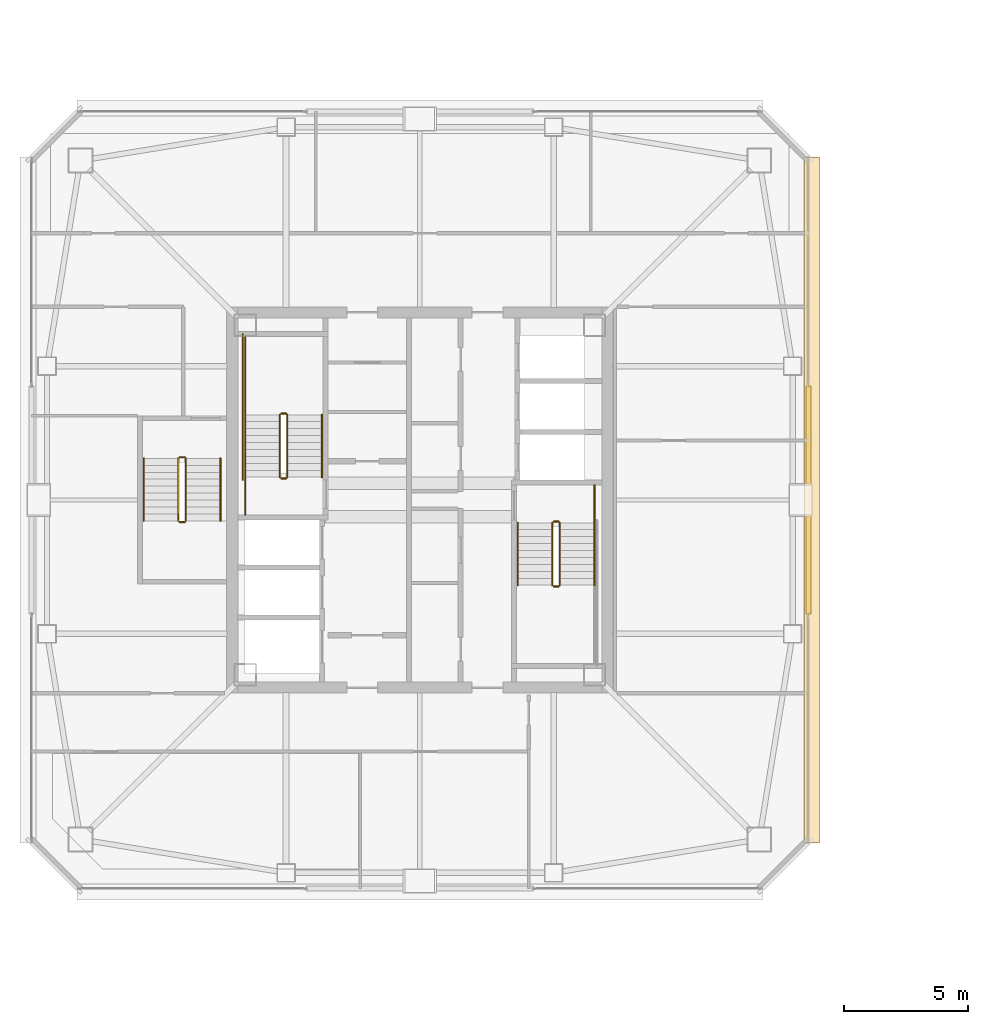
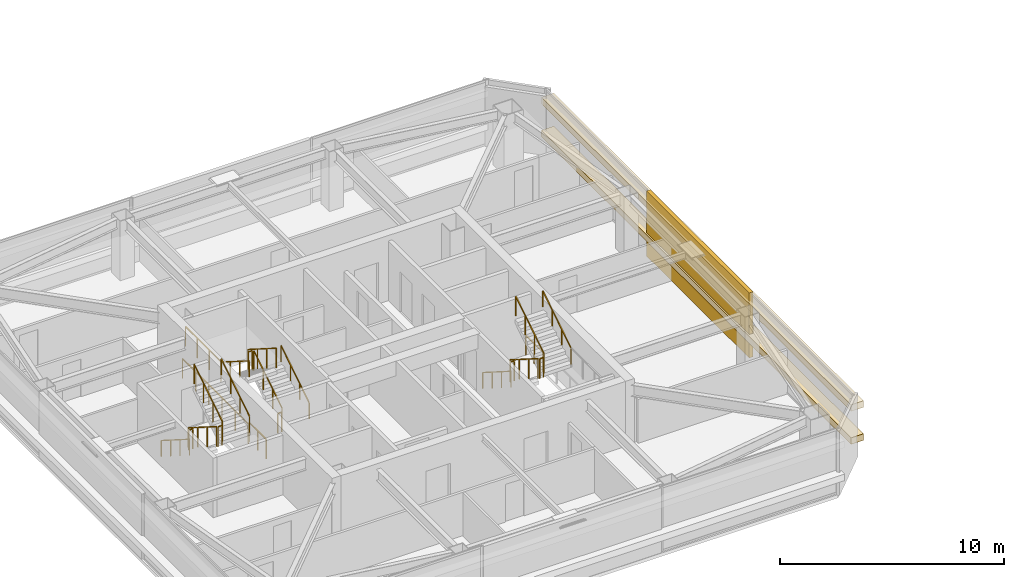
# One storey, part 35 of 39: 22 railings, 3 coverings.
"""IFC4 building model written with IfcOpenShell, lengths in metres."""

from ifc_helpers import new_model, si_unit, direction, frame, origin, origin_2d, place, context, subcontext, project, spatial, rectangle, extrude, material, layer, layer_set, type_object, element, save


model = new_model("IFC4")

# Units and contexts
model_context = context("Model", 3, precision=1e-05, world=origin(), true_north=direction((0.0, 1.0)))
body_context = subcontext(model_context, "Body", "Model", "MODEL_VIEW")
ifc_project = project(units=[si_unit("LENGTHUNIT", "METRE"), si_unit("AREAUNIT", "SQUARE_METRE"), si_unit("VOLUMEUNIT", "CUBIC_METRE"), si_unit("PLANEANGLEUNIT", "RADIAN"), si_unit("MASSUNIT", "GRAM", prefix="KILO")], contexts=[model_context])

# Site, building, storey
site_placement = place(None, origin())
site = spatial("IfcSite", under=ifc_project, at=site_placement, CompositionType="ELEMENT")
building_placement = place(site_placement, origin())
building = spatial("IfcBuilding", under=site, at=building_placement, Name="Tashvorn Skyway Center", CompositionType="ELEMENT")
storey_placement = place(building_placement, frame((0.0, 0.0, 243.25)))
storey = spatial("IfcBuildingStorey", under=building, at=storey_placement, Name="L66", CompositionType="ELEMENT", Elevation=243.25)

# Coverings
ifc_material_1 = material(Name="Precast concrete C40/50", Category="concrete")
ifc_layer_1 = layer(ifc_material_1, 0.199951171875)
ifc_layer_set_1 = layer_set([ifc_layer_1], Name="Precast concrete C40/50")
covering_type_1 = type_object("IfcCoveringType", Name="COV-BRACE-CLAD", PredefinedType="CLADDING", material=ifc_layer_set_1)
covering_placement = place(storey_placement, frame((57.679931640625, 32.0, 0.0), z_axis=(0.0, 0.0, 1.0), x_axis=(0.0, -1.0, 0.0)))
element("IfcCovering", 1, at=covering_placement, inside=storey, type_object=covering_type_1, Name="Tower 1 L66 East Unitised Curtain Wall Mega-Brace Cladding Band 1", PredefinedType="CLADDING", context=body_context, shape_type="SweptSolid", body=[
    extrude(rectangle(XDim=9.1865234375, YDim=0.199951171875, at=origin_2d()), origin(), (0.0, 0.0, 1.0), 3.550048828125),
])
ifc_material_2 = material(Name="Perforated ceramic-coated bronze aluminium solar screen", Category="aluminium")
ifc_layer_2 = layer(ifc_material_2, 0.85009765625)
ifc_layer_set_2 = layer_set([ifc_layer_2], Name="Perforated ceramic-coated bronze aluminium solar screen")
covering_type_2 = type_object("IfcCoveringType", Name="COV-SOLAR-BAND", PredefinedType="CLADDING", material=ifc_layer_set_2)
for number, where, z_axis, x_axis, name in (
    (2, (57.820068359375, 32.0, 0.919921875), (0.0, 0.0, 1.0), (0.0, -1.0, 0.0), "L66 Perforated Ceramic-Metal Solar Screen Louvre Band East 1"),
    (3, (57.820068359375, 32.0, 2.7197265625), (0.0, 0.0, 1.0), (0.0, -1.0, 0.0), "L66 Perforated Ceramic-Metal Solar Screen Louvre Band East 2"),
):
    element("IfcCovering", number, at=place(storey_placement, frame(where, z_axis=z_axis, x_axis=x_axis)), inside=storey, type_object=covering_type_2, Name=name, PredefinedType="CLADDING", context=body_context, shape_type="SweptSolid", body=[
        extrude(rectangle(XDim=27.679931640625, YDim=0.639892578125, at=origin_2d()), origin(), (0.0, 0.0, 1.0), 0.360107421875),
    ])

# Railings
ifc_material_3 = material(Name="Brushed stainless steel 316", Category="steel")
railing_type_1 = type_object("IfcRailingType", Name="RAIL-HAND-920", PredefinedType="HANDRAIL", material=ifc_material_3)
railing_1_placement = place(storey_placement, frame((38.050048828125, 32.919921875, 0.177490234375)))
element("IfcRailing", 4, at=railing_1_placement, inside=storey, type_object=railing_type_1, Name="L66 ST-T1-1 stair handrail 1", PredefinedType="HANDRAIL", context=body_context, shape_type="SweptSolid", body=[
    extrude(rectangle(XDim=0.048095703125, YDim=0.048095703125, at=origin_2d()), frame((0.0, 0.0, 0.8759765625), z_axis=(0.0, 0.84460694969, 0.535386869969), x_axis=(-1.0, 0.0, 0.0)), (0.0, 0.0, 1.0), 2.983642578125),
    extrude(rectangle(XDim=0.0419921875, YDim=0.0419921875, at=origin_2d()), origin(), (0.0, 0.0, 1.0), 0.851806640625),
    extrude(rectangle(XDim=0.0419921875, YDim=0.0419921875, at=origin_2d()), frame((0.0, 0.840087890625, 0.532470703125)), (0.0, 0.0, 1.0), 0.851806640625),
    extrude(rectangle(XDim=0.0419921875, YDim=0.0419921875, at=origin_2d()), frame((0.0, 1.679931640625, 1.06494140625)), (0.0, 0.0, 1.0), 0.851806640625),
    extrude(rectangle(XDim=0.0419921875, YDim=0.0419921875, at=origin_2d()), frame((0.0, 2.52001953125, 1.597412109375)), (0.0, 0.0, 1.0), 0.851806640625),
])
railing_2_placement = place(storey_placement, frame((34.949951171875, 35.43994140625, 1.952392578125)))
element("IfcRailing", 5, at=railing_2_placement, inside=storey, type_object=railing_type_1, Name="L66 ST-T1-1 stair handrail 2", PredefinedType="HANDRAIL", context=body_context, shape_type="SweptSolid", body=[
    extrude(rectangle(XDim=0.048095703125, YDim=0.048095703125, at=origin_2d()), frame((0.0, 0.0, 0.8759765625), z_axis=(0.0, -0.84456994832, 0.535445237532), x_axis=(1.0, 0.0, 0.0)), (0.0, 0.0, 1.0), 2.98388671875),
    extrude(rectangle(XDim=0.0419921875, YDim=0.0419921875, at=origin_2d()), origin(), (0.0, 0.0, 1.0), 0.851806640625),
    extrude(rectangle(XDim=0.0419921875, YDim=0.0419921875, at=origin_2d()), frame((0.0, -0.840087890625, 0.532470703125)), (0.0, 0.0, 1.0), 0.851806640625),
    extrude(rectangle(XDim=0.0419921875, YDim=0.0419921875, at=origin_2d()), frame((0.0, -1.679931640625, 1.065185546875)), (0.0, 0.0, 1.0), 0.851806640625),
    extrude(rectangle(XDim=0.0419921875, YDim=0.0419921875, at=origin_2d()), frame((0.0, -2.52001953125, 1.59765625)), (0.0, 0.0, 1.0), 0.851806640625),
])
railing_3_placement = place(storey_placement, frame((45.949951171875, 31.080078125, 0.177490234375)))
element("IfcRailing", 6, at=railing_3_placement, inside=storey, type_object=railing_type_1, Name="L66 ST-T1-2 stair handrail 1", PredefinedType="HANDRAIL", context=body_context, shape_type="SweptSolid", body=[
    extrude(rectangle(XDim=0.048095703125, YDim=0.048095703125, at=origin_2d()), frame((0.0, 0.0, 0.8759765625), z_axis=(0.0, -0.84460694969, 0.535386869969), x_axis=(1.0, 0.0, 0.0)), (0.0, 0.0, 1.0), 2.983642578125),
    extrude(rectangle(XDim=0.0419921875, YDim=0.0419921875, at=origin_2d()), origin(), (0.0, 0.0, 1.0), 0.851806640625),
    extrude(rectangle(XDim=0.0419921875, YDim=0.0419921875, at=origin_2d()), frame((0.0, -0.840087890625, 0.532470703125)), (0.0, 0.0, 1.0), 0.851806640625),
    extrude(rectangle(XDim=0.0419921875, YDim=0.0419921875, at=origin_2d()), frame((0.0, -1.679931640625, 1.06494140625)), (0.0, 0.0, 1.0), 0.851806640625),
    extrude(rectangle(XDim=0.0419921875, YDim=0.0419921875, at=origin_2d()), frame((0.0, -2.52001953125, 1.597412109375)), (0.0, 0.0, 1.0), 0.851806640625),
])
railing_4_placement = place(storey_placement, frame((49.050048828125, 28.56005859375, 1.952392578125)))
element("IfcRailing", 7, at=railing_4_placement, inside=storey, type_object=railing_type_1, Name="L66 ST-T1-2 stair handrail 2", PredefinedType="HANDRAIL", context=body_context, shape_type="SweptSolid", body=[
    extrude(rectangle(XDim=0.048095703125, YDim=0.048095703125, at=origin_2d()), frame((0.0, 0.0, 0.8759765625), z_axis=(0.0, 0.84456994832, 0.535445237532), x_axis=(-1.0, 0.0, 0.0)), (0.0, 0.0, 1.0), 2.98388671875),
    extrude(rectangle(XDim=0.0419921875, YDim=0.0419921875, at=origin_2d()), origin(), (0.0, 0.0, 1.0), 0.851806640625),
    extrude(rectangle(XDim=0.0419921875, YDim=0.0419921875, at=origin_2d()), frame((0.0, 0.840087890625, 0.532470703125)), (0.0, 0.0, 1.0), 0.851806640625),
    extrude(rectangle(XDim=0.0419921875, YDim=0.0419921875, at=origin_2d()), frame((0.0, 1.679931640625, 1.065185546875)), (0.0, 0.0, 1.0), 0.851806640625),
    extrude(rectangle(XDim=0.0419921875, YDim=0.0419921875, at=origin_2d()), frame((0.0, 2.52001953125, 1.59765625)), (0.0, 0.0, 1.0), 0.851806640625),
])
railing_5_placement = place(storey_placement, frame((30.85009765625, 33.679931640625, 0.177490234375)))
element("IfcRailing", 8, at=railing_5_placement, inside=storey, type_object=railing_type_1, Name="L66 ST-T1-3 stair handrail 1", PredefinedType="HANDRAIL", context=body_context, shape_type="SweptSolid", body=[
    extrude(rectangle(XDim=0.048095703125, YDim=0.048095703125, at=origin_2d()), frame((0.0, 0.0, 0.8759765625), z_axis=(0.0, -0.84460694969, 0.535386869969), x_axis=(1.0, 0.0, 0.0)), (0.0, 0.0, 1.0), 2.983642578125),
    extrude(rectangle(XDim=0.0419921875, YDim=0.0419921875, at=origin_2d()), origin(), (0.0, 0.0, 1.0), 0.851806640625),
    extrude(rectangle(XDim=0.0419921875, YDim=0.0419921875, at=origin_2d()), frame((0.0, -0.840087890625, 0.532470703125)), (0.0, 0.0, 1.0), 0.851806640625),
    extrude(rectangle(XDim=0.0419921875, YDim=0.0419921875, at=origin_2d()), frame((0.0, -1.679931640625, 1.06494140625)), (0.0, 0.0, 1.0), 0.851806640625),
    extrude(rectangle(XDim=0.0419921875, YDim=0.0419921875, at=origin_2d()), frame((0.0, -2.52001953125, 1.597412109375)), (0.0, 0.0, 1.0), 0.851806640625),
])
railing_6_placement = place(storey_placement, frame((33.949951171875, 31.159912109375, 1.952392578125)))
element("IfcRailing", 9, at=railing_6_placement, inside=storey, type_object=railing_type_1, Name="L66 ST-T1-3 stair handrail 2", PredefinedType="HANDRAIL", context=body_context, shape_type="SweptSolid", body=[
    extrude(rectangle(XDim=0.048095703125, YDim=0.048095703125, at=origin_2d()), frame((0.0, 0.0, 0.8759765625), z_axis=(0.0, 0.84456994832, 0.535445237532), x_axis=(-1.0, 0.0, 0.0)), (0.0, 0.0, 1.0), 2.98388671875),
    extrude(rectangle(XDim=0.0419921875, YDim=0.0419921875, at=origin_2d()), origin(), (0.0, 0.0, 1.0), 0.851806640625),
    extrude(rectangle(XDim=0.0419921875, YDim=0.0419921875, at=origin_2d()), frame((0.0, 0.840087890625, 0.532470703125)), (0.0, 0.0, 1.0), 0.851806640625),
    extrude(rectangle(XDim=0.0419921875, YDim=0.0419921875, at=origin_2d()), frame((0.0, 1.679931640625, 1.065185546875)), (0.0, 0.0, 1.0), 0.851806640625),
    extrude(rectangle(XDim=0.0419921875, YDim=0.0419921875, at=origin_2d()), frame((0.0, 2.52001953125, 1.59765625)), (0.0, 0.0, 1.0), 0.851806640625),
])
ifc_material_4 = material(Name="Painted galvanized steel S355", Category="steel")
railing_type_2 = type_object("IfcRailingType", Name="RAIL-STGUARD-1100", PredefinedType="GUARDRAIL", material=ifc_material_4)
railing_7_placement = place(storey_placement, frame((36.64990234375, 32.919921875, 0.177490234375)))
element("IfcRailing", 10, at=railing_7_placement, inside=storey, type_object=railing_type_2, Name="L66 ST-T1-1 stair guard 1", PredefinedType="GUARDRAIL", context=body_context, shape_type="SweptSolid", body=[
    extrude(rectangle(XDim=0.048095703125, YDim=0.048095703125, at=origin_2d()), frame((0.0, 0.0, 1.076171875), z_axis=(0.0, 0.84460694969, 0.535386869969), x_axis=(-1.0, 0.0, 0.0)), (0.0, 0.0, 1.0), 2.983642578125),
    extrude(rectangle(XDim=0.0419921875, YDim=0.0419921875, at=origin_2d()), origin(), (0.0, 0.0, 1.0), 1.052001953125),
    extrude(rectangle(XDim=0.0419921875, YDim=0.0419921875, at=origin_2d()), frame((0.0, 0.840087890625, 0.532470703125)), (0.0, 0.0, 1.0), 1.052001953125),
    extrude(rectangle(XDim=0.0419921875, YDim=0.0419921875, at=origin_2d()), frame((0.0, 1.679931640625, 1.06494140625)), (0.0, 0.0, 1.0), 1.052001953125),
    extrude(rectangle(XDim=0.0419921875, YDim=0.0419921875, at=origin_2d()), frame((0.0, 2.52001953125, 1.597412109375)), (0.0, 0.0, 1.0), 1.052001953125),
])
railing_8_placement = place(storey_placement, frame((36.60009765625, 35.489990234375, 1.77490234375)))
element("IfcRailing", 11, at=railing_8_placement, inside=storey, type_object=railing_type_2, Name="L66 ST-T1-1 stair guard 2", PredefinedType="GUARDRAIL", context=body_context, shape_type="SweptSolid", body=[
    extrude(rectangle(XDim=0.048095703125, YDim=0.048095703125, at=origin_2d()), frame((0.0, 0.0, 1.076171875), z_axis=(-1.0, 0.0, 0.0), x_axis=(0.0, -1.0, 0.0)), (0.0, 0.0, 1.0), 0.2001953125),
    extrude(rectangle(XDim=0.0419921875, YDim=0.0419921875, at=origin_2d()), origin(), (0.0, 0.0, 1.0), 1.052001953125),
    extrude(rectangle(XDim=0.0419921875, YDim=0.0419921875, at=origin_2d()), frame((-0.2001953125, 0.0, 0.0)), (0.0, 0.0, 1.0), 1.052001953125),
])
railing_9_placement = place(storey_placement, frame((34.949951171875, 35.43994140625, 1.77490234375)))
element("IfcRailing", 12, at=railing_9_placement, inside=storey, type_object=railing_type_2, Name="L66 ST-T1-1 stair guard 3", PredefinedType="GUARDRAIL", context=body_context, shape_type="SweptSolid", body=[
    extrude(rectangle(XDim=0.048095703125, YDim=0.048095703125, at=origin_2d()), frame((0.0, 0.0, 1.076171875), z_axis=(0.0, 1.0, 0.0), x_axis=(-1.0, 0.0, 0.0)), (0.0, 0.0, 1.0), 3.16015625),
    extrude(rectangle(XDim=0.0419921875, YDim=0.0419921875, at=origin_2d()), origin(), (0.0, 0.0, 1.0), 1.052001953125),
    extrude(rectangle(XDim=0.0419921875, YDim=0.0419921875, at=origin_2d()), frame((0.0, 1.053466796875, 0.0)), (0.0, 0.0, 1.0), 1.052001953125),
    extrude(rectangle(XDim=0.0419921875, YDim=0.0419921875, at=origin_2d()), frame((0.0, 2.106689453125, 0.0)), (0.0, 0.0, 1.0), 1.052001953125),
    extrude(rectangle(XDim=0.0419921875, YDim=0.0419921875, at=origin_2d()), frame((0.0, 3.16015625, 0.0)), (0.0, 0.0, 1.0), 1.052001953125),
])
railing_10_placement = place(storey_placement, frame((36.35009765625, 35.43994140625, 1.952392578125)))
element("IfcRailing", 13, at=railing_10_placement, inside=storey, type_object=railing_type_2, Name="L66 ST-T1-1 stair guard 4", PredefinedType="GUARDRAIL", context=body_context, shape_type="SweptSolid", body=[
    extrude(rectangle(XDim=0.048095703125, YDim=0.048095703125, at=origin_2d()), frame((0.0, 0.0, 1.076171875), z_axis=(0.0, -0.84456994832, 0.535445237532), x_axis=(1.0, 0.0, 0.0)), (0.0, 0.0, 1.0), 2.98388671875),
    extrude(rectangle(XDim=0.0419921875, YDim=0.0419921875, at=origin_2d()), origin(), (0.0, 0.0, 1.0), 1.052001953125),
    extrude(rectangle(XDim=0.0419921875, YDim=0.0419921875, at=origin_2d()), frame((0.0, -0.840087890625, 0.532470703125)), (0.0, 0.0, 1.0), 1.052001953125),
    extrude(rectangle(XDim=0.0419921875, YDim=0.0419921875, at=origin_2d()), frame((0.0, -1.679931640625, 1.065185546875)), (0.0, 0.0, 1.0), 1.052001953125),
    extrude(rectangle(XDim=0.0419921875, YDim=0.0419921875, at=origin_2d()), frame((0.0, -2.52001953125, 1.59765625)), (0.0, 0.0, 1.0), 1.052001953125),
])
railing_11_placement = place(storey_placement, frame((36.60009765625, 32.8701171875, 0.0)))
element("IfcRailing", 14, at=railing_11_placement, inside=storey, type_object=railing_type_2, Name="L66 ST-T1-1 stair guard 5", PredefinedType="GUARDRAIL", context=body_context, shape_type="SweptSolid", body=[
    extrude(rectangle(XDim=0.048095703125, YDim=0.048095703125, at=origin_2d()), frame((0.0, 0.0, 1.076171875), z_axis=(-1.0, 0.0, 0.0), x_axis=(0.0, -1.0, 0.0)), (0.0, 0.0, 1.0), 0.2001953125),
    extrude(rectangle(XDim=0.0419921875, YDim=0.0419921875, at=origin_2d()), origin(), (0.0, 0.0, 1.0), 1.052001953125),
    extrude(rectangle(XDim=0.0419921875, YDim=0.0419921875, at=origin_2d()), frame((-0.2001953125, 0.0, 0.0)), (0.0, 0.0, 1.0), 1.052001953125),
])
railing_12_placement = place(storey_placement, frame((34.949951171875, 31.39990234375, 0.0)))
element("IfcRailing", 15, at=railing_12_placement, inside=storey, type_object=railing_type_2, Name="L66 ST-T1-1 stair guard 6", PredefinedType="GUARDRAIL", context=body_context, shape_type="SweptSolid", body=[
    extrude(rectangle(XDim=0.048095703125, YDim=0.048095703125, at=origin_2d()), frame((0.0, 0.0, 1.076171875), z_axis=(0.0, 1.0, 0.0), x_axis=(-1.0, 0.0, 0.0)), (0.0, 0.0, 1.0), 1.52001953125),
    extrude(rectangle(XDim=0.0419921875, YDim=0.0419921875, at=origin_2d()), origin(), (0.0, 0.0, 1.0), 1.052001953125),
    extrude(rectangle(XDim=0.0419921875, YDim=0.0419921875, at=origin_2d()), frame((0.0, 0.760009765625, 0.0)), (0.0, 0.0, 1.0), 1.052001953125),
    extrude(rectangle(XDim=0.0419921875, YDim=0.0419921875, at=origin_2d()), frame((0.0, 1.52001953125, 0.0)), (0.0, 0.0, 1.0), 1.052001953125),
])
railing_13_placement = place(storey_placement, frame((34.85009765625, 32.820068359375, 0.0)))
element("IfcRailing", 16, at=railing_13_placement, inside=storey, type_object=railing_type_2, Name="L66 ST-T1-1 stair guard 7", PredefinedType="GUARDRAIL", context=body_context, shape_type="SweptSolid", body=[
    extrude(rectangle(XDim=0.048095703125, YDim=0.048095703125, at=origin_2d()), frame((0.0, 0.0, 1.076171875), z_axis=(0.0, 1.0, 0.0), x_axis=(-1.0, 0.0, 0.0)), (0.0, 0.0, 1.0), 5.8798828125),
    extrude(rectangle(XDim=0.0419921875, YDim=0.0419921875, at=origin_2d()), origin(), (0.0, 0.0, 1.0), 1.052001953125),
    extrude(rectangle(XDim=0.0419921875, YDim=0.0419921875, at=origin_2d()), frame((0.0, 1.176025390625, 0.0)), (0.0, 0.0, 1.0), 1.052001953125),
    extrude(rectangle(XDim=0.0419921875, YDim=0.0419921875, at=origin_2d()), frame((0.0, 2.35205078125, 0.0)), (0.0, 0.0, 1.0), 1.052001953125),
    extrude(rectangle(XDim=0.0419921875, YDim=0.0419921875, at=origin_2d()), frame((0.0, 3.52783203125, 0.0)), (0.0, 0.0, 1.0), 1.052001953125),
    extrude(rectangle(XDim=0.0419921875, YDim=0.0419921875, at=origin_2d()), frame((0.0, 4.703857421875, 0.0)), (0.0, 0.0, 1.0), 1.052001953125),
    extrude(rectangle(XDim=0.0419921875, YDim=0.0419921875, at=origin_2d()), frame((0.0, 5.8798828125, 0.0)), (0.0, 0.0, 1.0), 1.052001953125),
])
railing_14_placement = place(storey_placement, frame((47.35009765625, 31.080078125, 0.177490234375)))
element("IfcRailing", 17, at=railing_14_placement, inside=storey, type_object=railing_type_2, Name="L66 ST-T1-2 stair guard 1", PredefinedType="GUARDRAIL", context=body_context, shape_type="SweptSolid", body=[
    extrude(rectangle(XDim=0.048095703125, YDim=0.048095703125, at=origin_2d()), frame((0.0, 0.0, 1.076171875), z_axis=(0.0, -0.84460694969, 0.535386869969), x_axis=(1.0, 0.0, 0.0)), (0.0, 0.0, 1.0), 2.983642578125),
    extrude(rectangle(XDim=0.0419921875, YDim=0.0419921875, at=origin_2d()), origin(), (0.0, 0.0, 1.0), 1.052001953125),
    extrude(rectangle(XDim=0.0419921875, YDim=0.0419921875, at=origin_2d()), frame((0.0, -0.840087890625, 0.532470703125)), (0.0, 0.0, 1.0), 1.052001953125),
    extrude(rectangle(XDim=0.0419921875, YDim=0.0419921875, at=origin_2d()), frame((0.0, -1.679931640625, 1.06494140625)), (0.0, 0.0, 1.0), 1.052001953125),
    extrude(rectangle(XDim=0.0419921875, YDim=0.0419921875, at=origin_2d()), frame((0.0, -2.52001953125, 1.597412109375)), (0.0, 0.0, 1.0), 1.052001953125),
])
railing_15_placement = place(storey_placement, frame((47.39990234375, 28.510009765625, 1.77490234375)))
element("IfcRailing", 18, at=railing_15_placement, inside=storey, type_object=railing_type_2, Name="L66 ST-T1-2 stair guard 2", PredefinedType="GUARDRAIL", context=body_context, shape_type="SweptSolid", body=[
    extrude(rectangle(XDim=0.048095703125, YDim=0.048095703125, at=origin_2d()), frame((0.0, 0.0, 1.076171875), z_axis=(1.0, 0.0, 0.0), x_axis=(0.0, 1.0, 0.0)), (0.0, 0.0, 1.0), 0.2001953125),
    extrude(rectangle(XDim=0.0419921875, YDim=0.0419921875, at=origin_2d()), origin(), (0.0, 0.0, 1.0), 1.052001953125),
    extrude(rectangle(XDim=0.0419921875, YDim=0.0419921875, at=origin_2d()), frame((0.2001953125, 0.0, 0.0)), (0.0, 0.0, 1.0), 1.052001953125),
])
railing_16_placement = place(storey_placement, frame((47.64990234375, 28.56005859375, 1.952392578125)))
element("IfcRailing", 19, at=railing_16_placement, inside=storey, type_object=railing_type_2, Name="L66 ST-T1-2 stair guard 4", PredefinedType="GUARDRAIL", context=body_context, shape_type="SweptSolid", body=[
    extrude(rectangle(XDim=0.048095703125, YDim=0.048095703125, at=origin_2d()), frame((0.0, 0.0, 1.076171875), z_axis=(0.0, 0.84456994832, 0.535445237532), x_axis=(-1.0, 0.0, 0.0)), (0.0, 0.0, 1.0), 2.98388671875),
    extrude(rectangle(XDim=0.0419921875, YDim=0.0419921875, at=origin_2d()), origin(), (0.0, 0.0, 1.0), 1.052001953125),
    extrude(rectangle(XDim=0.0419921875, YDim=0.0419921875, at=origin_2d()), frame((0.0, 0.840087890625, 0.532470703125)), (0.0, 0.0, 1.0), 1.052001953125),
    extrude(rectangle(XDim=0.0419921875, YDim=0.0419921875, at=origin_2d()), frame((0.0, 1.679931640625, 1.065185546875)), (0.0, 0.0, 1.0), 1.052001953125),
    extrude(rectangle(XDim=0.0419921875, YDim=0.0419921875, at=origin_2d()), frame((0.0, 2.52001953125, 1.59765625)), (0.0, 0.0, 1.0), 1.052001953125),
])
railing_17_placement = place(storey_placement, frame((47.39990234375, 31.1298828125, 0.0)))
element("IfcRailing", 20, at=railing_17_placement, inside=storey, type_object=railing_type_2, Name="L66 ST-T1-2 stair guard 5", PredefinedType="GUARDRAIL", context=body_context, shape_type="SweptSolid", body=[
    extrude(rectangle(XDim=0.048095703125, YDim=0.048095703125, at=origin_2d()), frame((0.0, 0.0, 1.076171875), z_axis=(1.0, 0.0, 0.0), x_axis=(0.0, 1.0, 0.0)), (0.0, 0.0, 1.0), 0.2001953125),
    extrude(rectangle(XDim=0.0419921875, YDim=0.0419921875, at=origin_2d()), origin(), (0.0, 0.0, 1.0), 1.052001953125),
    extrude(rectangle(XDim=0.0419921875, YDim=0.0419921875, at=origin_2d()), frame((0.2001953125, 0.0, 0.0)), (0.0, 0.0, 1.0), 1.052001953125),
])
railing_18_placement = place(storey_placement, frame((49.050048828125, 32.60009765625, 0.0)))
element("IfcRailing", 21, at=railing_18_placement, inside=storey, type_object=railing_type_2, Name="L66 ST-T1-2 stair guard 6", PredefinedType="GUARDRAIL", context=body_context, shape_type="SweptSolid", body=[
    extrude(rectangle(XDim=0.048095703125, YDim=0.048095703125, at=origin_2d()), frame((0.0, 0.0, 1.076171875), z_axis=(0.0, -1.0, 0.0), x_axis=(1.0, 0.0, 0.0)), (0.0, 0.0, 1.0), 1.52001953125),
    extrude(rectangle(XDim=0.0419921875, YDim=0.0419921875, at=origin_2d()), origin(), (0.0, 0.0, 1.0), 1.052001953125),
    extrude(rectangle(XDim=0.0419921875, YDim=0.0419921875, at=origin_2d()), frame((0.0, -0.760009765625, 0.0)), (0.0, 0.0, 1.0), 1.052001953125),
    extrude(rectangle(XDim=0.0419921875, YDim=0.0419921875, at=origin_2d()), frame((0.0, -1.52001953125, 0.0)), (0.0, 0.0, 1.0), 1.052001953125),
])
railing_19_placement = place(storey_placement, frame((32.25, 33.679931640625, 0.177490234375)))
element("IfcRailing", 22, at=railing_19_placement, inside=storey, type_object=railing_type_2, Name="L66 ST-T1-3 stair guard 1", PredefinedType="GUARDRAIL", context=body_context, shape_type="SweptSolid", body=[
    extrude(rectangle(XDim=0.048095703125, YDim=0.048095703125, at=origin_2d()), frame((0.0, 0.0, 1.076171875), z_axis=(0.0, -0.84460694969, 0.535386869969), x_axis=(1.0, 0.0, 0.0)), (0.0, 0.0, 1.0), 2.983642578125),
    extrude(rectangle(XDim=0.0419921875, YDim=0.0419921875, at=origin_2d()), origin(), (0.0, 0.0, 1.0), 1.052001953125),
    extrude(rectangle(XDim=0.0419921875, YDim=0.0419921875, at=origin_2d()), frame((0.0, -0.840087890625, 0.532470703125)), (0.0, 0.0, 1.0), 1.052001953125),
    extrude(rectangle(XDim=0.0419921875, YDim=0.0419921875, at=origin_2d()), frame((0.0, -1.679931640625, 1.06494140625)), (0.0, 0.0, 1.0), 1.052001953125),
    extrude(rectangle(XDim=0.0419921875, YDim=0.0419921875, at=origin_2d()), frame((0.0, -2.52001953125, 1.597412109375)), (0.0, 0.0, 1.0), 1.052001953125),
])
railing_20_placement = place(storey_placement, frame((32.300048828125, 31.110107421875, 1.77490234375)))
element("IfcRailing", 23, at=railing_20_placement, inside=storey, type_object=railing_type_2, Name="L66 ST-T1-3 stair guard 2", PredefinedType="GUARDRAIL", context=body_context, shape_type="SweptSolid", body=[
    extrude(rectangle(XDim=0.048095703125, YDim=0.048095703125, at=origin_2d()), frame((0.0, 0.0, 1.076171875), z_axis=(1.0, 0.0, 0.0), x_axis=(0.0, 1.0, 0.0)), (0.0, 0.0, 1.0), 0.199951171875),
    extrude(rectangle(XDim=0.0419921875, YDim=0.0419921875, at=origin_2d()), origin(), (0.0, 0.0, 1.0), 1.052001953125),
    extrude(rectangle(XDim=0.0419921875, YDim=0.0419921875, at=origin_2d()), frame((0.199951171875, 0.0, 0.0)), (0.0, 0.0, 1.0), 1.052001953125),
])
railing_21_placement = place(storey_placement, frame((32.550048828125, 31.159912109375, 1.952392578125)))
element("IfcRailing", 24, at=railing_21_placement, inside=storey, type_object=railing_type_2, Name="L66 ST-T1-3 stair guard 3", PredefinedType="GUARDRAIL", context=body_context, shape_type="SweptSolid", body=[
    extrude(rectangle(XDim=0.048095703125, YDim=0.048095703125, at=origin_2d()), frame((0.0, 0.0, 1.076171875), z_axis=(0.0, 0.84456994832, 0.535445237532), x_axis=(-1.0, 0.0, 0.0)), (0.0, 0.0, 1.0), 2.98388671875),
    extrude(rectangle(XDim=0.0419921875, YDim=0.0419921875, at=origin_2d()), origin(), (0.0, 0.0, 1.0), 1.052001953125),
    extrude(rectangle(XDim=0.0419921875, YDim=0.0419921875, at=origin_2d()), frame((0.0, 0.840087890625, 0.532470703125)), (0.0, 0.0, 1.0), 1.052001953125),
    extrude(rectangle(XDim=0.0419921875, YDim=0.0419921875, at=origin_2d()), frame((0.0, 1.679931640625, 1.065185546875)), (0.0, 0.0, 1.0), 1.052001953125),
    extrude(rectangle(XDim=0.0419921875, YDim=0.0419921875, at=origin_2d()), frame((0.0, 2.52001953125, 1.59765625)), (0.0, 0.0, 1.0), 1.052001953125),
])
railing_22_placement = place(storey_placement, frame((32.300048828125, 33.72998046875, 0.0)))
element("IfcRailing", 25, at=railing_22_placement, inside=storey, type_object=railing_type_2, Name="L66 ST-T1-3 stair guard 4", PredefinedType="GUARDRAIL", context=body_context, shape_type="SweptSolid", body=[
    extrude(rectangle(XDim=0.048095703125, YDim=0.048095703125, at=origin_2d()), frame((0.0, 0.0, 1.076171875), z_axis=(1.0, 0.0, 0.0), x_axis=(0.0, 1.0, 0.0)), (0.0, 0.0, 1.0), 0.199951171875),
    extrude(rectangle(XDim=0.0419921875, YDim=0.0419921875, at=origin_2d()), origin(), (0.0, 0.0, 1.0), 1.052001953125),
    extrude(rectangle(XDim=0.0419921875, YDim=0.0419921875, at=origin_2d()), frame((0.199951171875, 0.0, 0.0)), (0.0, 0.0, 1.0), 1.052001953125),
])

save(model, "model.ifc")
